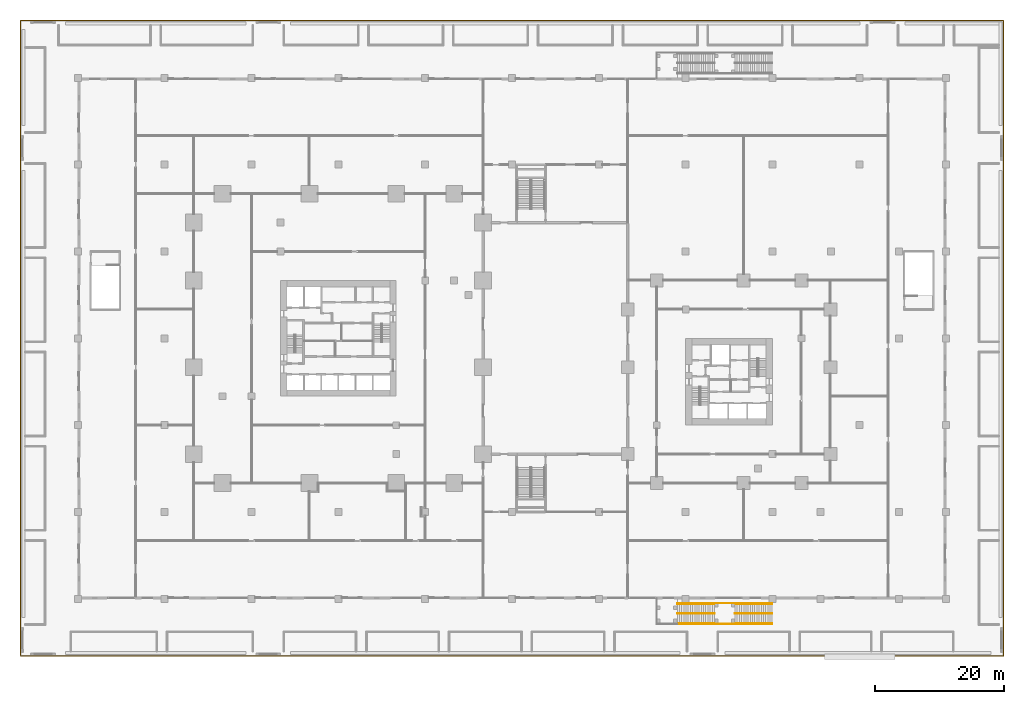
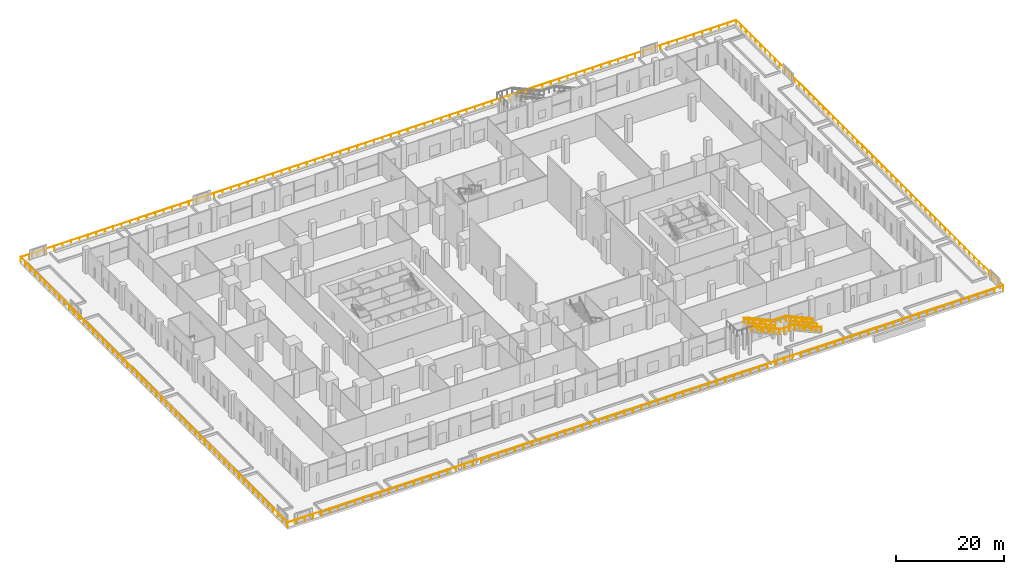
# One storey, part 44 of 47: 13 railings.
"""IFC4 building model written with IfcOpenShell, lengths in metres."""

from ifc_helpers import new_model, si_unit, direction, frame, origin, origin_2d, place, context, subcontext, project, spatial, circle, extrude, source, transform, mapped, material, type_object, element, save


model = new_model("IFC4")

# Units and contexts
model_context = context("Model", 3, precision=1e-05, world=origin(), true_north=direction((0.0, 1.0)))
body_context = subcontext(model_context, "Body", "Model", "MODEL_VIEW")
ifc_project = project(units=[si_unit("LENGTHUNIT", "METRE"), si_unit("AREAUNIT", "SQUARE_METRE"), si_unit("VOLUMEUNIT", "CUBIC_METRE"), si_unit("PLANEANGLEUNIT", "RADIAN"), si_unit("MASSUNIT", "GRAM", prefix="KILO")], contexts=[model_context])

# Site, building, storey
site_placement = place(None, origin())
site = spatial("IfcSite", under=ifc_project, at=site_placement, CompositionType="ELEMENT")
building_placement = place(site_placement, origin())
building = spatial("IfcBuilding", under=site, at=building_placement, Name="Altepetl Exchange Towers", CompositionType="ELEMENT")
storey_placement = place(building_placement, frame((0.0, 0.0, 6.0)))
storey = spatial("IfcBuildingStorey", under=building, at=storey_placement, Name="L01 Retail podium", CompositionType="ELEMENT", Elevation=6.0)

# Railings
ifc_material_1 = material(Name="Steel S355", Category="steel")
railing_type_1 = type_object("IfcRailingType", Name="Guard 1100 steel posts and rail", PredefinedType="GUARDRAIL", material=ifc_material_1)
shared_shape_1 = source(origin(), body_context, "Body", "SweptSolid", [
    extrude(circle(Radius=0.02099609375, at=origin_2d()), origin(), (0.0, 0.0, 1.0), 1.052001953125),
])
railing_placement = place(storey_placement, frame((0.10009765625, 0.10009765625, 0.0)))
element("IfcRailing", 1, at=railing_placement, inside=storey, type_object=railing_type_1, Name="Terrace guard", PredefinedType="GUARDRAIL", context=body_context, shape_type="SweptSolid", body=[
    extrude(circle(Radius=0.02392578125, at=origin_2d()), frame((0.0, 0.0, 1.076171875), z_axis=(1.0, 0.0, 0.0), x_axis=(0.0, 1.0, 0.0)), (0.0, 0.0, 1.0), 152.7998046875),
    extrude(circle(Radius=0.02392578125, at=origin_2d()), frame((152.7998046875, 0.0, 1.076171875), z_axis=(0.0, 1.0, 0.0), x_axis=(-1.0, 0.0, 0.0)), (0.0, 0.0, 1.0), 98.7998046875),
    extrude(circle(Radius=0.02392578125, at=origin_2d()), frame((152.7998046875, 98.7998046875, 1.076171875), z_axis=(-1.0, 0.0, 0.0), x_axis=(0.0, -1.0, 0.0)), (0.0, 0.0, 1.0), 152.7998046875),
    extrude(circle(Radius=0.02392578125, at=origin_2d()), frame((0.0, 98.7998046875, 1.076171875), z_axis=(0.0, -1.0, 0.0), x_axis=(1.0, 0.0, 0.0)), (0.0, 0.0, 1.0), 98.699951171875),
    mapped(shared_shape_1, transform((0.0, 0.0, 0.0))),
    mapped(shared_shape_1, transform((1.797607421875, 0.0, 0.0))),
    mapped(shared_shape_1, transform((3.59521484375, 0.0, 0.0))),
    mapped(shared_shape_1, transform((5.392822265625, 0.0, 0.0))),
    mapped(shared_shape_1, transform((7.190673828125, 0.0, 0.0))),
    mapped(shared_shape_1, transform((8.98828125, 0.0, 0.0))),
    mapped(shared_shape_1, transform((10.785888671875, 0.0, 0.0))),
    mapped(shared_shape_1, transform((12.58349609375, 0.0, 0.0))),
    mapped(shared_shape_1, transform((14.381103515625, 0.0, 0.0))),
    mapped(shared_shape_1, transform((16.1787109375, 0.0, 0.0))),
    mapped(shared_shape_1, transform((17.9765625, 0.0, 0.0))),
    mapped(shared_shape_1, transform((19.774169921875, 0.0, 0.0))),
    mapped(shared_shape_1, transform((21.57177734375, 0.0, 0.0))),
    mapped(shared_shape_1, transform((23.369384765625, 0.0, 0.0))),
    mapped(shared_shape_1, transform((25.1669921875, 0.0, 0.0))),
    mapped(shared_shape_1, transform((26.964599609375, 0.0, 0.0))),
    mapped(shared_shape_1, transform((28.76220703125, 0.0, 0.0))),
    mapped(shared_shape_1, transform((30.56005859375, 0.0, 0.0))),
    mapped(shared_shape_1, transform((32.357666015625, 0.0, 0.0))),
    mapped(shared_shape_1, transform((34.1552734375, 0.0, 0.0))),
    mapped(shared_shape_1, transform((35.952880859375, 0.0, 0.0))),
    mapped(shared_shape_1, transform((37.75048828125, 0.0, 0.0))),
    mapped(shared_shape_1, transform((39.548095703125, 0.0, 0.0))),
    mapped(shared_shape_1, transform((41.345947265625, 0.0, 0.0))),
    mapped(shared_shape_1, transform((43.1435546875, 0.0, 0.0))),
    mapped(shared_shape_1, transform((44.941162109375, 0.0, 0.0))),
    mapped(shared_shape_1, transform((46.73876953125, 0.0, 0.0))),
    mapped(shared_shape_1, transform((48.536376953125, 0.0, 0.0))),
    mapped(shared_shape_1, transform((50.333984375, 0.0, 0.0))),
    mapped(shared_shape_1, transform((52.131591796875, 0.0, 0.0))),
    mapped(shared_shape_1, transform((53.929443359375, 0.0, 0.0))),
    mapped(shared_shape_1, transform((55.72705078125, 0.0, 0.0))),
    mapped(shared_shape_1, transform((57.524658203125, 0.0, 0.0))),
    mapped(shared_shape_1, transform((59.322265625, 0.0, 0.0))),
    mapped(shared_shape_1, transform((61.119873046875, 0.0, 0.0))),
    mapped(shared_shape_1, transform((62.91748046875, 0.0, 0.0))),
    mapped(shared_shape_1, transform((64.71533203125, 0.0, 0.0))),
    mapped(shared_shape_1, transform((66.512939453125, 0.0, 0.0))),
    mapped(shared_shape_1, transform((68.310546875, 0.0, 0.0))),
    mapped(shared_shape_1, transform((70.108154296875, 0.0, 0.0))),
    mapped(shared_shape_1, transform((71.90576171875, 0.0, 0.0))),
    mapped(shared_shape_1, transform((73.703369140625, 0.0, 0.0))),
    mapped(shared_shape_1, transform((75.5009765625, 0.0, 0.0))),
    mapped(shared_shape_1, transform((77.298828125, 0.0, 0.0))),
    mapped(shared_shape_1, transform((79.096435546875, 0.0, 0.0))),
    mapped(shared_shape_1, transform((80.89404296875, 0.0, 0.0))),
    mapped(shared_shape_1, transform((82.691650390625, 0.0, 0.0))),
    mapped(shared_shape_1, transform((84.4892578125, 0.0, 0.0))),
    mapped(shared_shape_1, transform((86.286865234375, 0.0, 0.0))),
    mapped(shared_shape_1, transform((88.08447265625, 0.0, 0.0))),
    mapped(shared_shape_1, transform((89.88232421875, 0.0, 0.0))),
    mapped(shared_shape_1, transform((91.679931640625, 0.0, 0.0))),
    mapped(shared_shape_1, transform((93.4775390625, 0.0, 0.0))),
    mapped(shared_shape_1, transform((95.275146484375, 0.0, 0.0))),
    mapped(shared_shape_1, transform((97.07275390625, 0.0, 0.0))),
    mapped(shared_shape_1, transform((98.870361328125, 0.0, 0.0))),
    mapped(shared_shape_1, transform((100.668212890625, 0.0, 0.0))),
    mapped(shared_shape_1, transform((102.4658203125, 0.0, 0.0))),
    mapped(shared_shape_1, transform((104.263427734375, 0.0, 0.0))),
    mapped(shared_shape_1, transform((106.06103515625, 0.0, 0.0))),
    mapped(shared_shape_1, transform((107.858642578125, 0.0, 0.0))),
    mapped(shared_shape_1, transform((109.65625, 0.0, 0.0))),
    mapped(shared_shape_1, transform((111.453857421875, 0.0, 0.0))),
    mapped(shared_shape_1, transform((113.251708984375, 0.0, 0.0))),
    mapped(shared_shape_1, transform((115.04931640625, 0.0, 0.0))),
    mapped(shared_shape_1, transform((116.846923828125, 0.0, 0.0))),
    mapped(shared_shape_1, transform((118.64453125, 0.0, 0.0))),
    mapped(shared_shape_1, transform((120.442138671875, 0.0, 0.0))),
    mapped(shared_shape_1, transform((122.23974609375, 0.0, 0.0))),
    mapped(shared_shape_1, transform((124.03759765625, 0.0, 0.0))),
    mapped(shared_shape_1, transform((125.835205078125, 0.0, 0.0))),
    mapped(shared_shape_1, transform((127.6328125, 0.0, 0.0))),
    mapped(shared_shape_1, transform((129.430419921875, 0.0, 0.0))),
    mapped(shared_shape_1, transform((131.22802734375, 0.0, 0.0))),
    mapped(shared_shape_1, transform((133.025634765625, 0.0, 0.0))),
    mapped(shared_shape_1, transform((134.8232421875, 0.0, 0.0))),
    mapped(shared_shape_1, transform((136.62109375, 0.0, 0.0))),
    mapped(shared_shape_1, transform((138.418701171875, 0.0, 0.0))),
    mapped(shared_shape_1, transform((140.21630859375, 0.0, 0.0))),
    mapped(shared_shape_1, transform((142.013916015625, 0.0, 0.0))),
    mapped(shared_shape_1, transform((143.8115234375, 0.0, 0.0))),
    mapped(shared_shape_1, transform((145.609130859375, 0.0, 0.0))),
    mapped(shared_shape_1, transform((147.406982421875, 0.0, 0.0))),
    mapped(shared_shape_1, transform((149.20458984375, 0.0, 0.0))),
    mapped(shared_shape_1, transform((151.002197265625, 0.0, 0.0))),
    mapped(shared_shape_1, transform((152.7998046875, 0.0, 0.0))),
    mapped(shared_shape_1, transform((152.7998046875, 1.79638671875, 0.0))),
    mapped(shared_shape_1, transform((152.7998046875, 3.5927734375, 0.0))),
    mapped(shared_shape_1, transform((152.7998046875, 5.38916015625, 0.0))),
    mapped(shared_shape_1, transform((152.7998046875, 7.185546875, 0.0))),
    mapped(shared_shape_1, transform((152.7998046875, 8.981689453125, 0.0))),
    mapped(shared_shape_1, transform((152.7998046875, 10.778076171875, 0.0))),
    mapped(shared_shape_1, transform((152.7998046875, 12.574462890625, 0.0))),
    mapped(shared_shape_1, transform((152.7998046875, 14.370849609375, 0.0))),
    mapped(shared_shape_1, transform((152.7998046875, 16.167236328125, 0.0))),
    mapped(shared_shape_1, transform((152.7998046875, 17.963623046875, 0.0))),
    mapped(shared_shape_1, transform((152.7998046875, 19.760009765625, 0.0))),
    mapped(shared_shape_1, transform((152.7998046875, 21.556396484375, 0.0))),
    mapped(shared_shape_1, transform((152.7998046875, 23.352783203125, 0.0))),
    mapped(shared_shape_1, transform((152.7998046875, 25.14892578125, 0.0))),
    mapped(shared_shape_1, transform((152.7998046875, 26.9453125, 0.0))),
    mapped(shared_shape_1, transform((152.7998046875, 28.74169921875, 0.0))),
    mapped(shared_shape_1, transform((152.7998046875, 30.5380859375, 0.0))),
    mapped(shared_shape_1, transform((152.7998046875, 32.33447265625, 0.0))),
    mapped(shared_shape_1, transform((152.7998046875, 34.130859375, 0.0))),
    mapped(shared_shape_1, transform((152.7998046875, 35.92724609375, 0.0))),
    mapped(shared_shape_1, transform((152.7998046875, 37.7236328125, 0.0))),
    mapped(shared_shape_1, transform((152.7998046875, 39.52001953125, 0.0))),
    mapped(shared_shape_1, transform((152.7998046875, 41.316162109375, 0.0))),
    mapped(shared_shape_1, transform((152.7998046875, 43.112548828125, 0.0))),
    mapped(shared_shape_1, transform((152.7998046875, 44.908935546875, 0.0))),
    mapped(shared_shape_1, transform((152.7998046875, 46.705322265625, 0.0))),
    mapped(shared_shape_1, transform((152.7998046875, 48.501708984375, 0.0))),
    mapped(shared_shape_1, transform((152.7998046875, 50.298095703125, 0.0))),
    mapped(shared_shape_1, transform((152.7998046875, 52.094482421875, 0.0))),
    mapped(shared_shape_1, transform((152.7998046875, 53.890869140625, 0.0))),
    mapped(shared_shape_1, transform((152.7998046875, 55.687255859375, 0.0))),
    mapped(shared_shape_1, transform((152.7998046875, 57.483642578125, 0.0))),
    mapped(shared_shape_1, transform((152.7998046875, 59.27978515625, 0.0))),
    mapped(shared_shape_1, transform((152.7998046875, 61.076171875, 0.0))),
    mapped(shared_shape_1, transform((152.7998046875, 62.87255859375, 0.0))),
    mapped(shared_shape_1, transform((152.7998046875, 64.6689453125, 0.0))),
    mapped(shared_shape_1, transform((152.7998046875, 66.46533203125, 0.0))),
    mapped(shared_shape_1, transform((152.7998046875, 68.26171875, 0.0))),
    mapped(shared_shape_1, transform((152.7998046875, 70.05810546875, 0.0))),
    mapped(shared_shape_1, transform((152.7998046875, 71.8544921875, 0.0))),
    mapped(shared_shape_1, transform((152.7998046875, 73.65087890625, 0.0))),
    mapped(shared_shape_1, transform((152.7998046875, 75.447021484375, 0.0))),
    mapped(shared_shape_1, transform((152.7998046875, 77.243408203125, 0.0))),
    mapped(shared_shape_1, transform((152.7998046875, 79.039794921875, 0.0))),
    mapped(shared_shape_1, transform((152.7998046875, 80.836181640625, 0.0))),
    mapped(shared_shape_1, transform((152.7998046875, 82.632568359375, 0.0))),
    mapped(shared_shape_1, transform((152.7998046875, 84.428955078125, 0.0))),
    mapped(shared_shape_1, transform((152.7998046875, 86.225341796875, 0.0))),
    mapped(shared_shape_1, transform((152.7998046875, 88.021728515625, 0.0))),
    mapped(shared_shape_1, transform((152.7998046875, 89.818115234375, 0.0))),
    mapped(shared_shape_1, transform((152.7998046875, 91.6142578125, 0.0))),
    mapped(shared_shape_1, transform((152.7998046875, 93.41064453125, 0.0))),
    mapped(shared_shape_1, transform((152.7998046875, 95.20703125, 0.0))),
    mapped(shared_shape_1, transform((152.7998046875, 97.00341796875, 0.0))),
    mapped(shared_shape_1, transform((152.7998046875, 98.7998046875, 0.0))),
    mapped(shared_shape_1, transform((151.002197265625, 98.7998046875, 0.0))),
    mapped(shared_shape_1, transform((149.20458984375, 98.7998046875, 0.0))),
    mapped(shared_shape_1, transform((147.406982421875, 98.7998046875, 0.0))),
    mapped(shared_shape_1, transform((145.609130859375, 98.7998046875, 0.0))),
    mapped(shared_shape_1, transform((143.8115234375, 98.7998046875, 0.0))),
    mapped(shared_shape_1, transform((142.013916015625, 98.7998046875, 0.0))),
    mapped(shared_shape_1, transform((140.21630859375, 98.7998046875, 0.0))),
    mapped(shared_shape_1, transform((138.418701171875, 98.7998046875, 0.0))),
    mapped(shared_shape_1, transform((136.62109375, 98.7998046875, 0.0))),
    mapped(shared_shape_1, transform((134.8232421875, 98.7998046875, 0.0))),
    mapped(shared_shape_1, transform((133.025634765625, 98.7998046875, 0.0))),
    mapped(shared_shape_1, transform((131.22802734375, 98.7998046875, 0.0))),
    mapped(shared_shape_1, transform((129.430419921875, 98.7998046875, 0.0))),
    mapped(shared_shape_1, transform((127.6328125, 98.7998046875, 0.0))),
    mapped(shared_shape_1, transform((125.835205078125, 98.7998046875, 0.0))),
    mapped(shared_shape_1, transform((124.03759765625, 98.7998046875, 0.0))),
    mapped(shared_shape_1, transform((122.23974609375, 98.7998046875, 0.0))),
    mapped(shared_shape_1, transform((120.442138671875, 98.7998046875, 0.0))),
    mapped(shared_shape_1, transform((118.64453125, 98.7998046875, 0.0))),
    mapped(shared_shape_1, transform((116.846923828125, 98.7998046875, 0.0))),
    mapped(shared_shape_1, transform((115.04931640625, 98.7998046875, 0.0))),
    mapped(shared_shape_1, transform((113.251708984375, 98.7998046875, 0.0))),
    mapped(shared_shape_1, transform((111.453857421875, 98.7998046875, 0.0))),
    mapped(shared_shape_1, transform((109.65625, 98.7998046875, 0.0))),
    mapped(shared_shape_1, transform((107.858642578125, 98.7998046875, 0.0))),
    mapped(shared_shape_1, transform((106.06103515625, 98.7998046875, 0.0))),
    mapped(shared_shape_1, transform((104.263427734375, 98.7998046875, 0.0))),
    mapped(shared_shape_1, transform((102.4658203125, 98.7998046875, 0.0))),
    mapped(shared_shape_1, transform((100.668212890625, 98.7998046875, 0.0))),
    mapped(shared_shape_1, transform((98.870361328125, 98.7998046875, 0.0))),
    mapped(shared_shape_1, transform((97.07275390625, 98.7998046875, 0.0))),
    mapped(shared_shape_1, transform((95.275146484375, 98.7998046875, 0.0))),
    mapped(shared_shape_1, transform((93.4775390625, 98.7998046875, 0.0))),
    mapped(shared_shape_1, transform((91.679931640625, 98.7998046875, 0.0))),
    mapped(shared_shape_1, transform((89.88232421875, 98.7998046875, 0.0))),
    mapped(shared_shape_1, transform((88.08447265625, 98.7998046875, 0.0))),
    mapped(shared_shape_1, transform((86.286865234375, 98.7998046875, 0.0))),
    mapped(shared_shape_1, transform((84.4892578125, 98.7998046875, 0.0))),
    mapped(shared_shape_1, transform((82.691650390625, 98.7998046875, 0.0))),
    mapped(shared_shape_1, transform((80.89404296875, 98.7998046875, 0.0))),
    mapped(shared_shape_1, transform((79.096435546875, 98.7998046875, 0.0))),
    mapped(shared_shape_1, transform((77.298828125, 98.7998046875, 0.0))),
    mapped(shared_shape_1, transform((75.5009765625, 98.7998046875, 0.0))),
    mapped(shared_shape_1, transform((73.703369140625, 98.7998046875, 0.0))),
    mapped(shared_shape_1, transform((71.90576171875, 98.7998046875, 0.0))),
    mapped(shared_shape_1, transform((70.108154296875, 98.7998046875, 0.0))),
    mapped(shared_shape_1, transform((68.310546875, 98.7998046875, 0.0))),
    mapped(shared_shape_1, transform((66.512939453125, 98.7998046875, 0.0))),
    mapped(shared_shape_1, transform((64.71533203125, 98.7998046875, 0.0))),
    mapped(shared_shape_1, transform((62.91748046875, 98.7998046875, 0.0))),
    mapped(shared_shape_1, transform((61.119873046875, 98.7998046875, 0.0))),
    mapped(shared_shape_1, transform((59.322265625, 98.7998046875, 0.0))),
    mapped(shared_shape_1, transform((57.524658203125, 98.7998046875, 0.0))),
    mapped(shared_shape_1, transform((55.72705078125, 98.7998046875, 0.0))),
    mapped(shared_shape_1, transform((53.929443359375, 98.7998046875, 0.0))),
    mapped(shared_shape_1, transform((52.131591796875, 98.7998046875, 0.0))),
    mapped(shared_shape_1, transform((50.333984375, 98.7998046875, 0.0))),
    mapped(shared_shape_1, transform((48.536376953125, 98.7998046875, 0.0))),
    mapped(shared_shape_1, transform((46.73876953125, 98.7998046875, 0.0))),
    mapped(shared_shape_1, transform((44.941162109375, 98.7998046875, 0.0))),
    mapped(shared_shape_1, transform((43.1435546875, 98.7998046875, 0.0))),
    mapped(shared_shape_1, transform((41.345947265625, 98.7998046875, 0.0))),
    mapped(shared_shape_1, transform((39.548095703125, 98.7998046875, 0.0))),
    mapped(shared_shape_1, transform((37.75048828125, 98.7998046875, 0.0))),
    mapped(shared_shape_1, transform((35.952880859375, 98.7998046875, 0.0))),
    mapped(shared_shape_1, transform((34.1552734375, 98.7998046875, 0.0))),
    mapped(shared_shape_1, transform((32.357666015625, 98.7998046875, 0.0))),
    mapped(shared_shape_1, transform((30.56005859375, 98.7998046875, 0.0))),
    mapped(shared_shape_1, transform((28.76220703125, 98.7998046875, 0.0))),
    mapped(shared_shape_1, transform((26.964599609375, 98.7998046875, 0.0))),
    mapped(shared_shape_1, transform((25.1669921875, 98.7998046875, 0.0))),
    mapped(shared_shape_1, transform((23.369384765625, 98.7998046875, 0.0))),
    mapped(shared_shape_1, transform((21.57177734375, 98.7998046875, 0.0))),
    mapped(shared_shape_1, transform((19.774169921875, 98.7998046875, 0.0))),
    mapped(shared_shape_1, transform((17.9765625, 98.7998046875, 0.0))),
    mapped(shared_shape_1, transform((16.1787109375, 98.7998046875, 0.0))),
    mapped(shared_shape_1, transform((14.381103515625, 98.7998046875, 0.0))),
    mapped(shared_shape_1, transform((12.58349609375, 98.7998046875, 0.0))),
    mapped(shared_shape_1, transform((10.785888671875, 98.7998046875, 0.0))),
    mapped(shared_shape_1, transform((8.98828125, 98.7998046875, 0.0))),
    mapped(shared_shape_1, transform((7.190673828125, 98.7998046875, 0.0))),
    mapped(shared_shape_1, transform((5.392822265625, 98.7998046875, 0.0))),
    mapped(shared_shape_1, transform((3.59521484375, 98.7998046875, 0.0))),
    mapped(shared_shape_1, transform((1.797607421875, 98.7998046875, 0.0))),
    mapped(shared_shape_1, transform((0.0, 98.7998046875, 0.0))),
    mapped(shared_shape_1, transform((0.0, 97.00537109375, 0.0))),
    mapped(shared_shape_1, transform((0.0, 95.210693359375, 0.0))),
    mapped(shared_shape_1, transform((0.0, 93.416259765625, 0.0))),
    mapped(shared_shape_1, transform((0.0, 91.62158203125, 0.0))),
    mapped(shared_shape_1, transform((0.0, 89.8271484375, 0.0))),
    mapped(shared_shape_1, transform((0.0, 88.032470703125, 0.0))),
    mapped(shared_shape_1, transform((0.0, 86.238037109375, 0.0))),
    mapped(shared_shape_1, transform((0.0, 84.443359375, 0.0))),
    mapped(shared_shape_1, transform((0.0, 82.64892578125, 0.0))),
    mapped(shared_shape_1, transform((0.0, 80.854248046875, 0.0))),
    mapped(shared_shape_1, transform((0.0, 79.059814453125, 0.0))),
    mapped(shared_shape_1, transform((0.0, 77.265380859375, 0.0))),
    mapped(shared_shape_1, transform((0.0, 75.470703125, 0.0))),
    mapped(shared_shape_1, transform((0.0, 73.67626953125, 0.0))),
    mapped(shared_shape_1, transform((0.0, 71.881591796875, 0.0))),
    mapped(shared_shape_1, transform((0.0, 70.087158203125, 0.0))),
    mapped(shared_shape_1, transform((0.0, 68.29248046875, 0.0))),
    mapped(shared_shape_1, transform((0.0, 66.498046875, 0.0))),
    mapped(shared_shape_1, transform((0.0, 64.703369140625, 0.0))),
    mapped(shared_shape_1, transform((0.0, 62.908935546875, 0.0))),
    mapped(shared_shape_1, transform((0.0, 61.1142578125, 0.0))),
    mapped(shared_shape_1, transform((0.0, 59.31982421875, 0.0))),
    mapped(shared_shape_1, transform((0.0, 57.525390625, 0.0))),
    mapped(shared_shape_1, transform((0.0, 55.730712890625, 0.0))),
    mapped(shared_shape_1, transform((0.0, 53.936279296875, 0.0))),
    mapped(shared_shape_1, transform((0.0, 52.1416015625, 0.0))),
    mapped(shared_shape_1, transform((0.0, 50.34716796875, 0.0))),
    mapped(shared_shape_1, transform((0.0, 48.552490234375, 0.0))),
    mapped(shared_shape_1, transform((0.0, 46.758056640625, 0.0))),
    mapped(shared_shape_1, transform((0.0, 44.96337890625, 0.0))),
    mapped(shared_shape_1, transform((0.0, 43.1689453125, 0.0))),
    mapped(shared_shape_1, transform((0.0, 41.374267578125, 0.0))),
    mapped(shared_shape_1, transform((0.0, 39.579833984375, 0.0))),
    mapped(shared_shape_1, transform((0.0, 37.785400390625, 0.0))),
    mapped(shared_shape_1, transform((0.0, 35.99072265625, 0.0))),
    mapped(shared_shape_1, transform((0.0, 34.1962890625, 0.0))),
    mapped(shared_shape_1, transform((0.0, 32.401611328125, 0.0))),
    mapped(shared_shape_1, transform((0.0, 30.607177734375, 0.0))),
    mapped(shared_shape_1, transform((0.0, 28.8125, 0.0))),
    mapped(shared_shape_1, transform((0.0, 27.01806640625, 0.0))),
    mapped(shared_shape_1, transform((0.0, 25.223388671875, 0.0))),
    mapped(shared_shape_1, transform((0.0, 23.428955078125, 0.0))),
    mapped(shared_shape_1, transform((0.0, 21.63427734375, 0.0))),
    mapped(shared_shape_1, transform((0.0, 19.83984375, 0.0))),
    mapped(shared_shape_1, transform((0.0, 18.04541015625, 0.0))),
    mapped(shared_shape_1, transform((0.0, 16.250732421875, 0.0))),
    mapped(shared_shape_1, transform((0.0, 14.456298828125, 0.0))),
    mapped(shared_shape_1, transform((0.0, 12.66162109375, 0.0))),
    mapped(shared_shape_1, transform((0.0, 10.8671875, 0.0))),
    mapped(shared_shape_1, transform((0.0, 9.072509765625, 0.0))),
    mapped(shared_shape_1, transform((0.0, 7.278076171875, 0.0))),
    mapped(shared_shape_1, transform((0.0, 5.4833984375, 0.0))),
    mapped(shared_shape_1, transform((0.0, 3.68896484375, 0.0))),
    mapped(shared_shape_1, transform((0.0, 1.894287109375, 0.0))),
    mapped(shared_shape_1, transform((0.0, 0.099853515625, 0.0))),
])
ifc_material_2 = material(Name="Laminated glass and steel", Category="steel")
railing_type_2 = type_object("IfcRailingType", Name="Hall gallery guard 1100", PredefinedType="GUARDRAIL", material=ifc_material_2)
shared_shape_2 = source(origin(), body_context, "Body", "SweptSolid", [
    extrude(circle(Radius=0.02001953125, at=origin_2d()), origin(), (0.0, 0.0, 1.0), 1.050048828125),
])
for number, where, name in (
    (2, (107.97998046875, 5.10009765625, 2.90283203125), "rail:P:L01:R1flightA"),
    (3, (107.97998046875, 8.300048828125, 2.90283203125), "rail:P:L01:R1flightA_in"),
    (4, (116.9599609375, 5.10009765625, 0.15283203125), "rail:P:L01:R1flightB"),
    (5, (116.9599609375, 8.300048828125, 0.15283203125), "rail:P:L01:R1flightB_in"),
):
    element("IfcRailing", number, at=place(storey_placement, frame(where)), inside=storey, type_object=railing_type_2, Name=name, PredefinedType="GUARDRAIL", context=body_context, shape_type="SweptSolid", body=[
        extrude(circle(Radius=0.02490234375, at=origin_2d()), frame((0.0, 0.0, 1.0751953125), z_axis=(-0.912148447978, 0.0, 0.409859986888), x_axis=(0.0, -1.0, 0.0)), (0.0, 0.0, 1.0), 6.336669921875),
        mapped(shared_shape_2, transform((0.0, 0.0, 0.0))),
        mapped(shared_shape_2, transform((-1.156005859375, 0.0, 0.51953125))),
        mapped(shared_shape_2, transform((-2.31201171875, 0.0, 1.038818359375))),
        mapped(shared_shape_2, transform((-3.468017578125, 0.0, 1.558349609375))),
        mapped(shared_shape_2, transform((-4.6240234375, 0.0, 2.07763671875))),
        mapped(shared_shape_2, transform((-5.780029296875, 0.0, 2.59716796875))),
    ])
for number, where, name in (
    (6, (107.97998046875, 5.10009765625, 2.75), "rail:P:L01:R1mid"),
    (7, (107.97998046875, 8.300048828125, 2.75), "rail:P:L01:R1mid_in"),
):
    element("IfcRailing", number, at=place(storey_placement, frame(where)), inside=storey, type_object=railing_type_2, Name=name, PredefinedType="GUARDRAIL", context=body_context, shape_type="SweptSolid", body=[
        extrude(circle(Radius=0.02490234375, at=origin_2d()), frame((0.0, 0.0, 1.0751953125), z_axis=(1.0, 0.0, 0.0), x_axis=(0.0, 1.0, 0.0)), (0.0, 0.0, 1.0), 3.199951171875),
        mapped(shared_shape_2, transform((0.0, 0.0, 0.0))),
        mapped(shared_shape_2, transform((1.066650390625, 0.0, 0.0))),
        mapped(shared_shape_2, transform((2.13330078125, 0.0, 0.0))),
        mapped(shared_shape_2, transform((3.199951171875, 0.0, 0.0))),
    ])
ifc_material_3 = material(Name="Stainless steel", Category="steel")
railing_type_3 = type_object("IfcRailingType", Name="Stair handrail 900", PredefinedType="HANDRAIL", material=ifc_material_3)
shared_shape_3 = source(origin(), body_context, "Body", "SweptSolid", [
    extrude(circle(Radius=0.02001953125, at=origin_2d()), origin(), (0.0, 0.0, 1.0), 0.849853515625),
])
for number, where, name in (
    (8, (107.97998046875, 8.199951171875, 2.90283203125), "rail:P:L01:R1hA_in"),
    (9, (107.97998046875, 6.699951171875, 2.90283203125), "rail:P:L01:R1hA_mid"),
    (10, (107.97998046875, 5.199951171875, 2.90283203125), "rail:P:L01:R1hA_out"),
    (11, (116.9599609375, 8.199951171875, 0.15283203125), "rail:P:L01:R1hB_in"),
    (12, (116.9599609375, 6.699951171875, 0.15283203125), "rail:P:L01:R1hB_mid"),
    (13, (116.9599609375, 5.199951171875, 0.15283203125), "rail:P:L01:R1hB_out"),
):
    element("IfcRailing", number, at=place(storey_placement, frame(where)), inside=storey, type_object=railing_type_3, Name=name, PredefinedType="HANDRAIL", context=body_context, shape_type="SweptSolid", body=[
        extrude(circle(Radius=0.02490234375, at=origin_2d()), frame((0.0, 0.0, 0.875), z_axis=(-0.912148447978, 0.0, 0.409859986888), x_axis=(0.0, -1.0, 0.0)), (0.0, 0.0, 1.0), 6.336669921875),
        mapped(shared_shape_3, transform((0.0, 0.0, 0.0))),
        mapped(shared_shape_3, transform((-1.9267578125, 0.0, 0.86572265625))),
        mapped(shared_shape_3, transform((-3.853271484375, 0.0, 1.7314453125))),
        mapped(shared_shape_3, transform((-5.780029296875, 0.0, 2.59716796875))),
    ])

save(model, "model.ifc")
